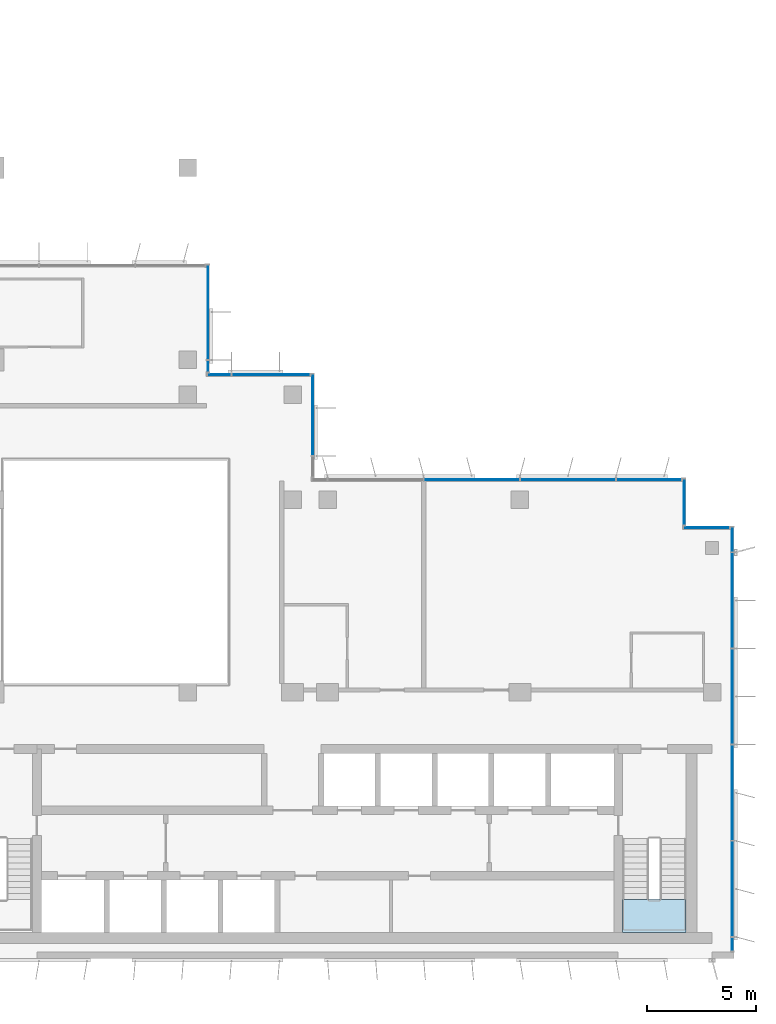
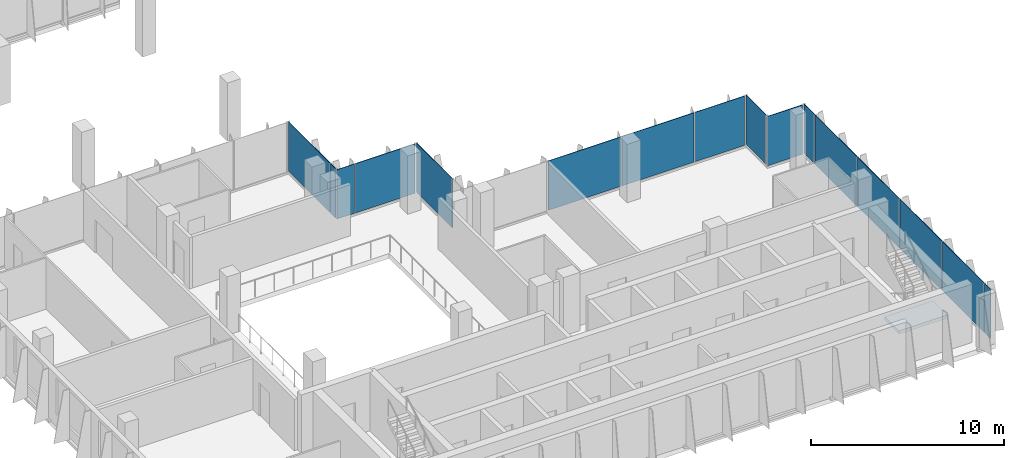
# One storey, part 7 of 13: 16 plates, 1 slab, 8 elements without a shape of their own.
"""IFC4 building model written with IfcOpenShell, lengths in metres."""

from ifc_helpers import new_model, si_unit, direction, frame, origin, origin_2d, place, context, subcontext, project, spatial, polyline, rectangle, outline, extrude, source, transform, mapped, material, layer, layer_set, type_object, element, aggregate, save


model = new_model("IFC4")

# Units and contexts
model_context = context("Model", 3, precision=1e-05, world=origin(), true_north=direction((0.0, 1.0)))
body_context = subcontext(model_context, "Body", "Model", "MODEL_VIEW")
ifc_project = project(units=[si_unit("LENGTHUNIT", "METRE"), si_unit("AREAUNIT", "SQUARE_METRE"), si_unit("VOLUMEUNIT", "CUBIC_METRE"), si_unit("PLANEANGLEUNIT", "RADIAN"), si_unit("MASSUNIT", "GRAM", prefix="KILO")], contexts=[model_context])

# Site, building, storey
site_placement = place(None, origin())
site = spatial("IfcSite", under=ifc_project, at=site_placement, CompositionType="ELEMENT")
building_placement = place(site_placement, origin())
building = spatial("IfcBuilding", under=site, at=building_placement, Name="Kemantara Hotel Tower", CompositionType="ELEMENT")
storey_placement = place(building_placement, frame((0.0, 0.0, 252.39990234375)))
storey = spatial("IfcBuildingStorey", under=building, at=storey_placement, Name="L63", CompositionType="ELEMENT", Elevation=252.39990234375)

# Stair, slab
ifc_material_1 = material(Name="Concrete fc 40 MPa", Category="concrete")
stair_type = type_object("IfcStairType", Name="Stair 1200 wide 22 risers of 168 x 280 mm", PredefinedType="HALF_TURN_STAIR", material=ifc_material_1)
stair_placement = place(storey_placement, origin())
stair = element("IfcStair", 1, at=stair_placement, inside=storey, type_object=stair_type, Name="L63 Exit stair ST2", PredefinedType="HALF_TURN_STAIR")
ifc_layer_1 = layer(ifc_material_1, 0.199951171875)
ifc_layer_set_1 = layer_set([ifc_layer_1], Name="Concrete fc 40 MPa")
slab_type = type_object("IfcSlabType", Name="Stair landing 200 mm", PredefinedType="LANDING", material=ifc_layer_set_1)
slab_placement = place(storey_placement, frame((0.0, 0.0, 1.650146484375)))
slab = element("IfcSlab", 2, at=slab_placement, type_object=slab_type, Name="ST2 landing 1", PredefinedType="LANDING", context=body_context, shape_type="SweptSolid", body=[
    extrude(outline(polyline([(40.89990234375, 2.699951171875), (40.89990234375, 1.199951171875), (43.800048828125, 1.199951171875), (43.800048828125, 2.699951171875), (40.89990234375, 2.699951171875)])), origin(), (0.0, 0.0, 1.0), 0.199951171875),
])
aggregate(stair, [slab])

# Curtain wall, plates
ifc_material_2 = material(Name="Low-E tinted double insulated glass 36 mm", Category="glass")
curtain_wall_type = type_object("IfcCurtainWallType", Name="TOWER CURTAIN WALL, FRONT FACES", PredefinedType="USERDEFINED", material=ifc_material_2)
curtain_wall_1_placement = place(storey_placement, origin())
curtain_wall_1 = element("IfcCurtainWall", 3, at=curtain_wall_1_placement, inside=storey, type_object=curtain_wall_type, Name="CW4 L63 T4P-R06-1", ObjectType="TOWER CURTAIN WALL, FRONT FACES", PredefinedType="USERDEFINED")
ifc_layer_2 = layer(ifc_material_2, 0.035888671875)
ifc_layer_set_2 = layer_set([ifc_layer_2], Name="Low-E tinted double insulated glass 36 mm")
plate_type = type_object("IfcPlateType", Name="TOWER CURTAIN WALL, FRONT FACES PANEL", PredefinedType="CURTAIN_PANEL", material=ifc_layer_set_2)
shared_shape_1 = source(origin(), body_context, "Body", "SweptSolid", [
    extrude(rectangle(XDim=4.340087890625, YDim=0.035888671875, at=origin_2d()), origin(), (0.0, 0.0, 1.0), 3.1298828125),
])
plate_1_placement = place(storey_placement, frame((45.925048828125, 3.199951171875, 0.1201171875), z_axis=(0.0, 0.0, 1.0), x_axis=(0.0, 1.0, 0.0)))
plate_1 = element("IfcPlate", 4, at=plate_1_placement, type_object=plate_type, Name="CW4 glass panel T4P-R06-1.2", PredefinedType="CURTAIN_PANEL", context=body_context, shape_type="MappedRepresentation", body=[
    mapped(shared_shape_1, transform((0.0, 0.0, 0.0))),
])
plate_2_placement = place(storey_placement, frame((45.925048828125, 7.60009765625, 0.1201171875), z_axis=(0.0, 0.0, 1.0), x_axis=(0.0, 1.0, 0.0)))
plate_2 = element("IfcPlate", 5, at=plate_2_placement, type_object=plate_type, Name="CW4 glass panel T4P-R06-1.3", PredefinedType="CURTAIN_PANEL", context=body_context, shape_type="MappedRepresentation", body=[
    mapped(shared_shape_1, transform((0.0, 0.0, 0.0))),
])
plate_3_placement = place(storey_placement, frame((45.925048828125, 12.0, 0.1201171875), z_axis=(0.0, 0.0, 1.0), x_axis=(0.0, 1.0, 0.0)))
plate_3 = element("IfcPlate", 6, at=plate_3_placement, type_object=plate_type, Name="CW4 glass panel T4P-R06-1.4", PredefinedType="CURTAIN_PANEL", context=body_context, shape_type="MappedRepresentation", body=[
    mapped(shared_shape_1, transform((0.0, 0.0, 0.0))),
])
plate_4_placement = place(storey_placement, frame((45.925048828125, 16.39990234375, 0.1201171875), z_axis=(0.0, 0.0, 1.0), x_axis=(0.0, 1.0, 0.0)))
plate_4 = element("IfcPlate", 7, at=plate_4_placement, type_object=plate_type, Name="CW4 glass panel T4P-R06-1.5", PredefinedType="CURTAIN_PANEL", context=body_context, shape_type="MappedRepresentation", body=[
    mapped(shared_shape_1, transform((0.0, 0.0, 0.0))),
])

curtain_wall_2_placement = place(storey_placement, origin())
curtain_wall_2 = element("IfcCurtainWall", 8, at=curtain_wall_2_placement, inside=storey, type_object=curtain_wall_type, Name="CW4 L63 T4P-R09-1", ObjectType="TOWER CURTAIN WALL, FRONT FACES", PredefinedType="USERDEFINED")
plate_5_placement = place(storey_placement, frame((38.39990234375, 21.925048828125, 0.1201171875), z_axis=(0.0, 0.0, 1.0), x_axis=(-1.0, 0.0, 0.0)))
plate_5 = element("IfcPlate", 9, at=plate_5_placement, type_object=plate_type, Name="CW4 glass panel T4P-R09-1.2", PredefinedType="CURTAIN_PANEL", context=body_context, shape_type="MappedRepresentation", body=[
    mapped(shared_shape_1, transform((0.0, 0.0, 0.0))),
])
plate_6_placement = place(storey_placement, frame((34.0, 21.925048828125, 0.1201171875), z_axis=(0.0, 0.0, 1.0), x_axis=(-1.0, 0.0, 0.0)))
plate_6 = element("IfcPlate", 10, at=plate_6_placement, type_object=plate_type, Name="CW4 glass panel T4P-R09-1.3", PredefinedType="CURTAIN_PANEL", context=body_context, shape_type="MappedRepresentation", body=[
    mapped(shared_shape_1, transform((0.0, 0.0, 0.0))),
])
shared_shape_2 = source(origin(), body_context, "Body", "SweptSolid", [
    extrude(rectangle(XDim=2.9599609375, YDim=0.035888671875, at=origin_2d()), origin(), (0.0, 0.0, 1.0), 3.1298828125),
])
plate_7_placement = place(storey_placement, frame((42.110107421875, 21.925048828125, 0.1201171875), z_axis=(0.0, 0.0, 1.0), x_axis=(-1.0, 0.0, 0.0)))
plate_7 = element("IfcPlate", 11, at=plate_7_placement, type_object=plate_type, Name="CW4 glass panel T4P-R09-1.1", PredefinedType="CURTAIN_PANEL", context=body_context, shape_type="MappedRepresentation", body=[
    mapped(shared_shape_2, transform((0.0, 0.0, 0.0))),
])
aggregate(curtain_wall_2, [plate_7, plate_5, plate_6])

# Curtain wall, plate
curtain_wall_3_placement = place(storey_placement, origin())
curtain_wall_3 = element("IfcCurtainWall", 12, at=curtain_wall_3_placement, inside=storey, type_object=curtain_wall_type, Name="CW4 L63 T4P-R00-1", ObjectType="TOWER CURTAIN WALL, FRONT FACES", PredefinedType="USERDEFINED")
shared_shape_3 = source(origin(), body_context, "Body", "SweptSolid", [
    extrude(rectangle(XDim=0.510009765625, YDim=0.035888671875, at=origin_2d()), origin(), (0.0, 0.0, 1.0), 3.1298828125),
])
plate_8_placement = place(storey_placement, frame((21.925048828125, 27.114990234375, 0.1201171875), z_axis=(0.0, 0.0, 1.0), x_axis=(0.0, 1.0, 0.0)))
plate_8 = element("IfcPlate", 13, at=plate_8_placement, type_object=plate_type, Name="CW4 glass panel T4P-R00-1.1", PredefinedType="CURTAIN_PANEL", context=body_context, shape_type="MappedRepresentation", body=[
    mapped(shared_shape_3, transform((0.0, 0.0, 0.0))),
])

curtain_wall_4_placement = place(storey_placement, origin())
curtain_wall_4 = element("IfcCurtainWall", 14, at=curtain_wall_4_placement, inside=storey, type_object=curtain_wall_type, Name="CW4 L63 T4P-R07-1", ObjectType="TOWER CURTAIN WALL, FRONT FACES", PredefinedType="USERDEFINED")
shared_shape_4 = source(origin(), body_context, "Body", "SweptSolid", [
    extrude(rectangle(XDim=2.080078125, YDim=0.035888671875, at=origin_2d()), origin(), (0.0, 0.0, 1.0), 3.1298828125),
])
plate_9_placement = place(storey_placement, frame((44.75, 19.72509765625, 0.1201171875), z_axis=(0.0, 0.0, 1.0), x_axis=(-1.0, 0.0, 0.0)))
plate_9 = element("IfcPlate", 15, at=plate_9_placement, type_object=plate_type, Name="CW4 glass panel T4P-R07-1.1", PredefinedType="CURTAIN_PANEL", context=body_context, shape_type="MappedRepresentation", body=[
    mapped(shared_shape_4, transform((0.0, 0.0, 0.0))),
])
aggregate(curtain_wall_4, [plate_9])

curtain_wall_5_placement = place(storey_placement, origin())
curtain_wall_5 = element("IfcCurtainWall", 16, at=curtain_wall_5_placement, inside=storey, type_object=curtain_wall_type, Name="CW4 L63 T4P-R08-1", ObjectType="TOWER CURTAIN WALL, FRONT FACES", PredefinedType="USERDEFINED")
plate_10_placement = place(storey_placement, frame((43.72509765625, 20.89990234375, 0.1201171875), z_axis=(0.0, 0.0, 1.0), x_axis=(0.0, 1.0, 0.0)))
plate_10 = element("IfcPlate", 17, at=plate_10_placement, type_object=plate_type, Name="CW4 glass panel T4P-R08-1.1", PredefinedType="CURTAIN_PANEL", context=body_context, shape_type="MappedRepresentation", body=[
    mapped(shared_shape_4, transform((0.0, 0.0, 0.0))),
])
aggregate(curtain_wall_5, [plate_10])

# Plate
shared_shape_5 = source(origin(), body_context, "Body", "SweptSolid", [
    extrude(rectangle(XDim=1.110107421875, YDim=0.035888671875, at=origin_2d()), origin(), (0.0, 0.0, 1.0), 3.1298828125),
])
plate_11_placement = place(storey_placement, frame((45.925048828125, 19.18505859375, 0.1201171875), z_axis=(0.0, 0.0, 1.0), x_axis=(0.0, 1.0, 0.0)))
plate_11 = element("IfcPlate", 18, at=plate_11_placement, type_object=plate_type, Name="CW4 glass panel T4P-R06-1.6", PredefinedType="CURTAIN_PANEL", context=body_context, shape_type="MappedRepresentation", body=[
    mapped(shared_shape_5, transform((0.0, 0.0, 0.0))),
])

# Curtain wall, plate
curtain_wall_6_placement = place(storey_placement, origin())
curtain_wall_6 = element("IfcCurtainWall", 19, at=curtain_wall_6_placement, inside=storey, type_object=curtain_wall_type, Name="CW4 L63 T4P-R10-1", ObjectType="TOWER CURTAIN WALL, FRONT FACES", PredefinedType="USERDEFINED")
shared_shape_6 = source(origin(), body_context, "Body", "SweptSolid", [
    extrude(rectangle(XDim=3.7099609375, YDim=0.035888671875, at=origin_2d()), origin(), (0.0, 0.0, 1.0), 3.1298828125),
])
plate_12_placement = place(storey_placement, frame((26.72509765625, 24.885009765625, 0.1201171875), z_axis=(0.0, 0.0, 1.0), x_axis=(0.0, 1.0, 0.0)))
plate_12 = element("IfcPlate", 20, at=plate_12_placement, type_object=plate_type, Name="CW4 glass panel T4P-R10-1.2", PredefinedType="CURTAIN_PANEL", context=body_context, shape_type="MappedRepresentation", body=[
    mapped(shared_shape_6, transform((0.0, 0.0, 0.0))),
])
aggregate(curtain_wall_6, [plate_12])

# Curtain wall, plates
curtain_wall_7_placement = place(storey_placement, origin())
curtain_wall_7 = element("IfcCurtainWall", 21, at=curtain_wall_7_placement, inside=storey, type_object=curtain_wall_type, Name="CW4 L63 T4P-R11-1", ObjectType="TOWER CURTAIN WALL, FRONT FACES", PredefinedType="USERDEFINED")
shared_shape_7 = source(origin(), body_context, "Body", "SweptSolid", [
    extrude(rectangle(XDim=3.56005859375, YDim=0.035888671875, at=origin_2d()), origin(), (0.0, 0.0, 1.0), 3.1298828125),
])
plate_13_placement = place(storey_placement, frame((24.81005859375, 26.72509765625, 0.1201171875), z_axis=(0.0, 0.0, 1.0), x_axis=(-1.0, 0.0, 0.0)))
plate_13 = element("IfcPlate", 22, at=plate_13_placement, type_object=plate_type, Name="CW4 glass panel T4P-R11-1.1", PredefinedType="CURTAIN_PANEL", context=body_context, shape_type="MappedRepresentation", body=[
    mapped(shared_shape_7, transform((0.0, 0.0, 0.0))),
])
shared_shape_8 = source(origin(), body_context, "Body", "SweptSolid", [
    extrude(rectangle(XDim=1.06005859375, YDim=0.035888671875, at=origin_2d()), origin(), (0.0, 0.0, 1.0), 3.1298828125),
])
plate_14_placement = place(storey_placement, frame((22.43994140625, 26.72509765625, 0.1201171875), z_axis=(0.0, 0.0, 1.0), x_axis=(-1.0, 0.0, 0.0)))
plate_14 = element("IfcPlate", 23, at=plate_14_placement, type_object=plate_type, Name="CW4 glass panel T4P-R11-1.2", PredefinedType="CURTAIN_PANEL", context=body_context, shape_type="MappedRepresentation", body=[
    mapped(shared_shape_8, transform((0.0, 0.0, 0.0))),
])
aggregate(curtain_wall_7, [plate_13, plate_14])

# Plate
shared_shape_9 = source(origin(), body_context, "Body", "SweptSolid", [
    extrude(rectangle(XDim=4.31005859375, YDim=0.035888671875, at=origin_2d()), origin(), (0.0, 0.0, 1.0), 3.1298828125),
])
plate_15_placement = place(storey_placement, frame((21.925048828125, 29.5849609375, 0.1201171875), z_axis=(0.0, 0.0, 1.0), x_axis=(0.0, 1.0, 0.0)))
plate_15 = element("IfcPlate", 24, at=plate_15_placement, type_object=plate_type, Name="CW4 glass panel T4P-R00-1.2", PredefinedType="CURTAIN_PANEL", context=body_context, shape_type="MappedRepresentation", body=[
    mapped(shared_shape_9, transform((0.0, 0.0, 0.0))),
])

aggregate(curtain_wall_3, [plate_8, plate_15])

shared_shape_10 = source(origin(), body_context, "Body", "SweptSolid", [
    extrude(rectangle(XDim=0.610107421875, YDim=0.035888671875, at=origin_2d()), origin(), (0.0, 0.0, 1.0), 3.1298828125),
])
plate_16_placement = place(storey_placement, frame((45.925048828125, 0.6650390625, 0.1201171875), z_axis=(0.0, 0.0, 1.0), x_axis=(0.0, 1.0, 0.0)))
plate_16 = element("IfcPlate", 25, at=plate_16_placement, type_object=plate_type, Name="CW4 glass panel T4P-R06-1.1", PredefinedType="CURTAIN_PANEL", context=body_context, shape_type="MappedRepresentation", body=[
    mapped(shared_shape_10, transform((0.0, 0.0, 0.0))),
])

aggregate(curtain_wall_1, [plate_16, plate_1, plate_2, plate_3, plate_4, plate_11])

save(model, "model.ifc")
